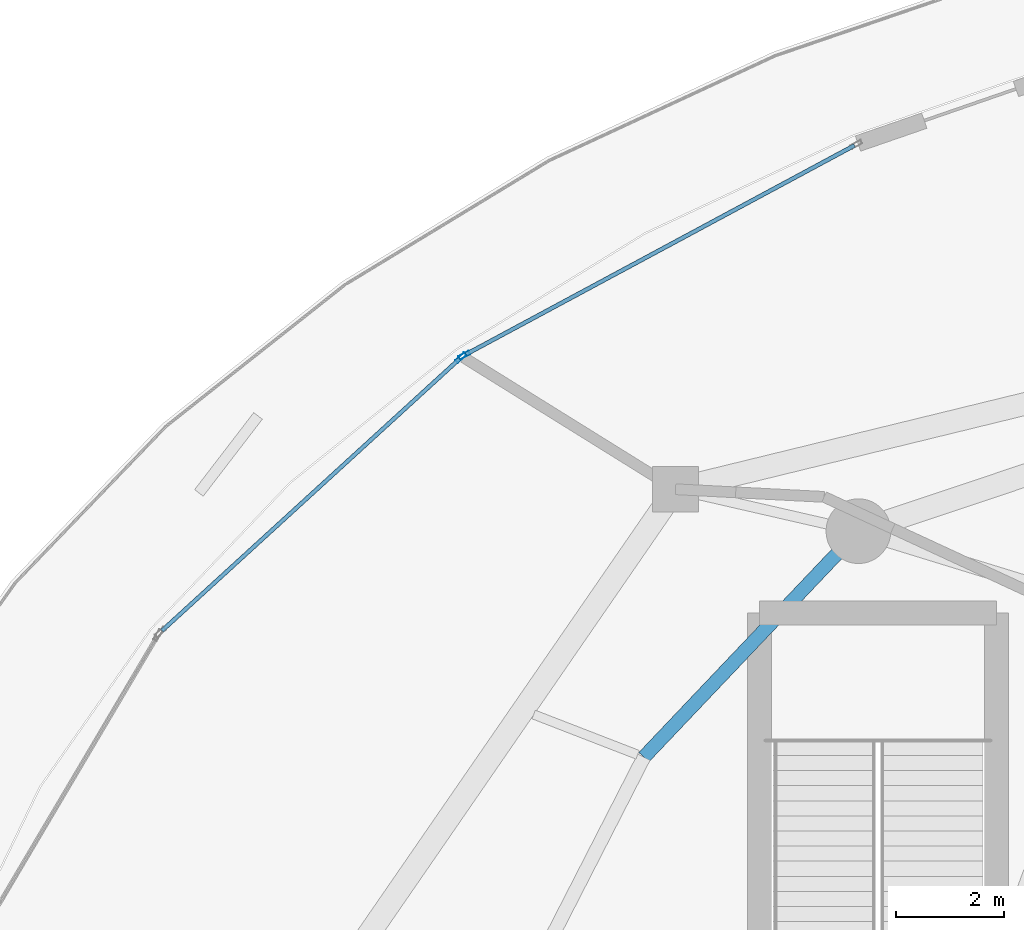
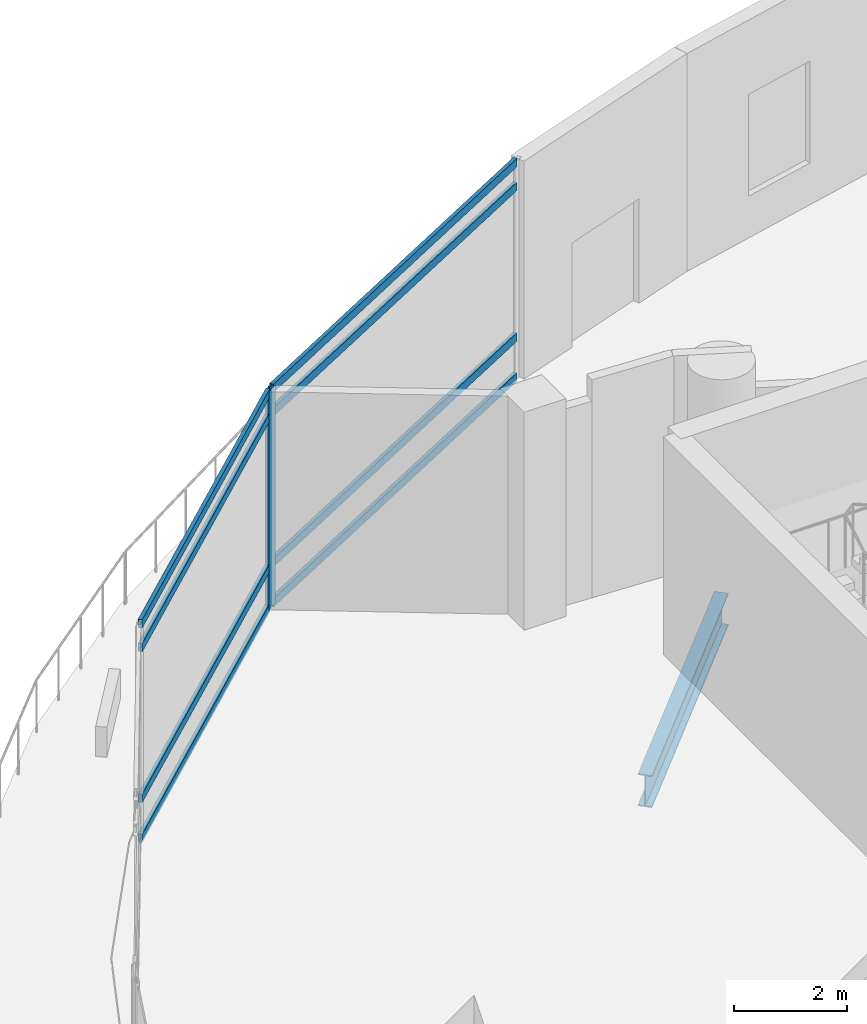
# One storey, part 14 of 36: 10 members, 1 beam, 2 elements without a shape of their own.
"""IFC4 building model written with IfcOpenShell, lengths in metres."""

from ifc_helpers import new_model, si_unit, direction, frame, origin, origin_2d, place, context, subcontext, project, spatial, hollow_rectangle, i_section, extrude, material, layer, layer_set, material_profile, profile_set, type_object, element, aggregate, save


model = new_model("IFC4")

# Units and contexts
model_context = context("Model", 3, precision=1e-05, world=origin(), true_north=direction((0.0, 1.0)))
body_context = subcontext(model_context, "Body", "Model", "MODEL_VIEW")
ifc_project = project(units=[si_unit("LENGTHUNIT", "METRE"), si_unit("AREAUNIT", "SQUARE_METRE"), si_unit("VOLUMEUNIT", "CUBIC_METRE"), si_unit("PLANEANGLEUNIT", "RADIAN"), si_unit("MASSUNIT", "GRAM", prefix="KILO")], contexts=[model_context])

# Site, building, storey
site_placement = place(None, origin())
site = spatial("IfcSite", under=ifc_project, at=site_placement, CompositionType="ELEMENT")
building_placement = place(site_placement, origin())
building = spatial("IfcBuilding", under=site, at=building_placement, Name="Nuhasar Tower", CompositionType="ELEMENT")
storey_placement = place(building_placement, frame((0.0, 0.0, 11.0)))
storey = spatial("IfcBuildingStorey", under=building, at=storey_placement, Name="L02", CompositionType="ELEMENT", Elevation=11.0)

# Beam
ifc_material_1 = material(Name="Steel S355", Category="steel")
ifc_material_profile_1 = material_profile(ifc_material_1, i_section(OverallWidth=0.256103515625, OverallDepth=0.693115234375, WebThickness=0.014404296875, FlangeThickness=0.023681640625, at=origin_2d()), Name="W27X114")
ifc_profile_set_1 = profile_set([ifc_material_profile_1], Name="Steel S355")
beam_type = type_object("IfcBeamType", Name="BM-RING-W27X114", PredefinedType="SPANDREL", material=ifc_profile_set_1)
beam_placement = place(storey_placement, frame((21.287109375, 41.118896484375, -0.64697265625), z_axis=(-0.688480893507, -0.725254478976, 0.0), x_axis=(0.725254478976, -0.688480893507, 0.0)))
element("IfcBeam", 1, at=beam_placement, inside=storey, type_object=beam_type, Name="L02 Mega-Column Perimeter Ring Spandrel 07-1", PredefinedType="SPANDREL", context=body_context, shape_type="SweptSolid", body=[
    extrude(i_section(OverallWidth=0.256103515625, OverallDepth=0.693115234375, WebThickness=0.014404296875, FlangeThickness=0.023681640625, at=origin_2d()), origin(), (0.0, 0.0, 1.0), 5.782470703125),
])

# Curtain wall, member
ifc_material_2 = material(Name="Aluminium 6063-T6", Category="aluminium")
ifc_layer = layer(ifc_material_2, 0.219970703125)
ifc_layer_set = layer_set([ifc_layer], Name="Aluminium 6063-T6")
curtain_wall_type = type_object("IfcCurtainWallType", Name="CW-PODIUM", PredefinedType="NOTDEFINED", material=ifc_layer_set)
curtain_wall_1_placement = place(storey_placement, origin())
curtain_wall_1 = element("IfcCurtainWall", 2, at=curtain_wall_1_placement, inside=storey, type_object=curtain_wall_type, Name="L02 Podium Curtain Wall Bay 09", PredefinedType="NOTDEFINED")
ifc_material_profile_2 = material_profile(ifc_material_2, hollow_rectangle(XDim=0.074951171875, YDim=0.219970703125, WallThickness=0.0048828125, at=origin_2d()), Name="CWM-1")
ifc_profile_set_2 = profile_set([ifc_material_profile_2], Name="Aluminium 6063-T6")
member_type_1 = type_object("IfcMemberType", Name="CW-MUL-S1", PredefinedType="MULLION", material=ifc_profile_set_2)
member_1_placement = place(storey_placement, frame((13.97314453125, 44.3828125, 0.0), z_axis=(0.0, 0.0, 1.0), x_axis=(0.473606022453, -0.880736813978, 0.0)))
member_1 = element("IfcMember", 3, at=member_1_placement, type_object=member_type_1, Name="CW-P1 mullion 2", PredefinedType="MULLION", context=body_context, shape_type="SweptSolid", body=[
    extrude(hollow_rectangle(XDim=0.074951171875, YDim=0.219970703125, WallThickness=0.0048828125, at=origin_2d()), origin(), (0.0, 0.0, 1.0), 4.699951171875),
])

curtain_wall_2_placement = place(storey_placement, origin())
curtain_wall_2 = element("IfcCurtainWall", 4, at=curtain_wall_2_placement, inside=storey, type_object=curtain_wall_type, Name="L02 Podium Curtain Wall Bay 10", PredefinedType="NOTDEFINED")
member_2_placement = place(storey_placement, frame((13.912353515625, 44.339599609375, 0.0), z_axis=(0.0, 0.0, 1.0), x_axis=(0.674465166517, -0.738306670127, 0.0)))
member_2 = element("IfcMember", 5, at=member_2_placement, type_object=member_type_1, Name="CW-P1 mullion 1", PredefinedType="MULLION", context=body_context, shape_type="SweptSolid", body=[
    extrude(hollow_rectangle(XDim=0.074951171875, YDim=0.219970703125, WallThickness=0.0048828125, at=origin_2d()), origin(), (0.0, 0.0, 1.0), 4.699951171875),
])

# Member
ifc_material_profile_3 = material_profile(ifc_material_2, hollow_rectangle(XDim=0.074951171875, YDim=0.179931640625, WallThickness=0.00439453125, at=origin_2d()), Name="CWT-1")
ifc_profile_set_3 = profile_set([ifc_material_profile_3], Name="Aluminium 6063-T6")
member_type_2 = type_object("IfcMemberType", Name="CW-TRN-S1", PredefinedType="USERDEFINED", material=ifc_profile_set_3)
member_3_placement = place(storey_placement, frame((21.2138671875, 48.2763671875, 0.03759765625), z_axis=(-0.880744919274, -0.473590949208, 0.0), x_axis=(0.473590949208, -0.880744919274, 0.0)))
member_3 = element("IfcMember", 6, at=member_3_placement, type_object=member_type_2, Name="CW-P1 transom 1.1", ObjectType="TRANSOM", PredefinedType="USERDEFINED", context=body_context, shape_type="SweptSolid", body=[
    extrude(hollow_rectangle(XDim=0.074951171875, YDim=0.179931640625, WallThickness=0.00439453125, at=origin_2d()), origin(), (0.0, 0.0, 1.0), 8.18359375),
])

member_4_placement = place(storey_placement, frame((21.2138671875, 48.2763671875, 0.89990234375), z_axis=(-0.880744919274, -0.473590949208, 0.0), x_axis=(0.473590949208, -0.880744919274, 0.0)))
member_4 = element("IfcMember", 7, at=member_4_placement, type_object=member_type_2, Name="CW-P1 transom 1.2", ObjectType="TRANSOM", PredefinedType="USERDEFINED", context=body_context, shape_type="SweptSolid", body=[
    extrude(hollow_rectangle(XDim=0.074951171875, YDim=0.179931640625, WallThickness=0.00439453125, at=origin_2d()), origin(), (0.0, 0.0, 1.0), 8.18359375),
])

member_5_placement = place(storey_placement, frame((21.2138671875, 48.2763671875, 4.14990234375), z_axis=(-0.880744919274, -0.473590949208, 0.0), x_axis=(0.473590949208, -0.880744919274, 0.0)))
member_5 = element("IfcMember", 8, at=member_5_placement, type_object=member_type_2, Name="CW-P1 transom 1.3", ObjectType="TRANSOM", PredefinedType="USERDEFINED", context=body_context, shape_type="SweptSolid", body=[
    extrude(hollow_rectangle(XDim=0.074951171875, YDim=0.179931640625, WallThickness=0.00439453125, at=origin_2d()), origin(), (0.0, 0.0, 1.0), 8.18359375),
])

member_6_placement = place(storey_placement, frame((21.2138671875, 48.2763671875, 4.66259765625), z_axis=(-0.880744919274, -0.473590949208, 0.0), x_axis=(0.473590949208, -0.880744919274, 0.0)))
member_6 = element("IfcMember", 9, at=member_6_placement, type_object=member_type_2, Name="CW-P1 transom 1.4", ObjectType="TRANSOM", PredefinedType="USERDEFINED", context=body_context, shape_type="SweptSolid", body=[
    extrude(hollow_rectangle(XDim=0.074951171875, YDim=0.179931640625, WallThickness=0.00439453125, at=origin_2d()), origin(), (0.0, 0.0, 1.0), 8.18359375),
])

aggregate(curtain_wall_1, [member_1, member_3, member_4, member_5, member_6])

member_7_placement = place(storey_placement, frame((13.884521484375, 44.314453125, 0.03759765625), z_axis=(-0.738298169381, -0.674474471785, 0.0), x_axis=(0.674474471785, -0.738298169381, 0.0)))
member_7 = element("IfcMember", 10, at=member_7_placement, type_object=member_type_2, Name="CW-P1 transom 1.1", ObjectType="TRANSOM", PredefinedType="USERDEFINED", context=body_context, shape_type="SweptSolid", body=[
    extrude(hollow_rectangle(XDim=0.074951171875, YDim=0.179931640625, WallThickness=0.00439453125, at=origin_2d()), origin(), (0.0, 0.0, 1.0), 7.478271484375),
])

member_8_placement = place(storey_placement, frame((13.884521484375, 44.314453125, 0.89990234375), z_axis=(-0.738298169381, -0.674474471785, 0.0), x_axis=(0.674474471785, -0.738298169381, 0.0)))
member_8 = element("IfcMember", 11, at=member_8_placement, type_object=member_type_2, Name="CW-P1 transom 1.2", ObjectType="TRANSOM", PredefinedType="USERDEFINED", context=body_context, shape_type="SweptSolid", body=[
    extrude(hollow_rectangle(XDim=0.074951171875, YDim=0.179931640625, WallThickness=0.00439453125, at=origin_2d()), origin(), (0.0, 0.0, 1.0), 7.478271484375),
])

member_9_placement = place(storey_placement, frame((13.884521484375, 44.314453125, 4.14990234375), z_axis=(-0.738298169381, -0.674474471785, 0.0), x_axis=(0.674474471785, -0.738298169381, 0.0)))
member_9 = element("IfcMember", 12, at=member_9_placement, type_object=member_type_2, Name="CW-P1 transom 1.3", ObjectType="TRANSOM", PredefinedType="USERDEFINED", context=body_context, shape_type="SweptSolid", body=[
    extrude(hollow_rectangle(XDim=0.074951171875, YDim=0.179931640625, WallThickness=0.00439453125, at=origin_2d()), origin(), (0.0, 0.0, 1.0), 7.478271484375),
])

member_10_placement = place(storey_placement, frame((13.884521484375, 44.314453125, 4.66259765625), z_axis=(-0.738298169381, -0.674474471785, 0.0), x_axis=(0.674474471785, -0.738298169381, 0.0)))
member_10 = element("IfcMember", 13, at=member_10_placement, type_object=member_type_2, Name="CW-P1 transom 1.4", ObjectType="TRANSOM", PredefinedType="USERDEFINED", context=body_context, shape_type="SweptSolid", body=[
    extrude(hollow_rectangle(XDim=0.074951171875, YDim=0.179931640625, WallThickness=0.00439453125, at=origin_2d()), origin(), (0.0, 0.0, 1.0), 7.478271484375),
])

aggregate(curtain_wall_2, [member_2, member_7, member_8, member_9, member_10])

save(model, "model.ifc")
